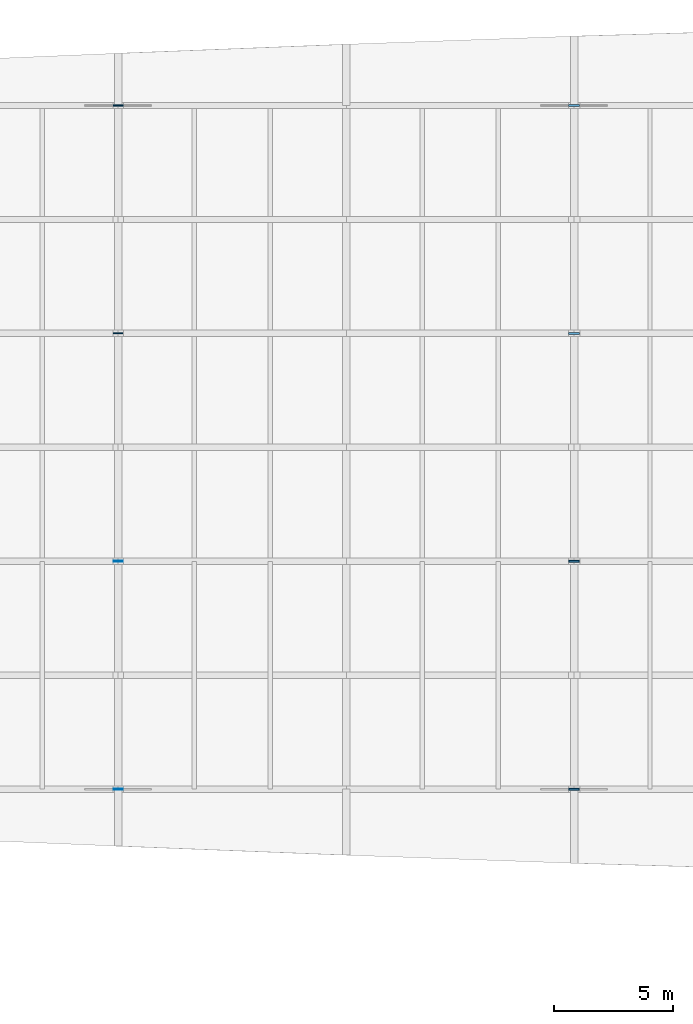
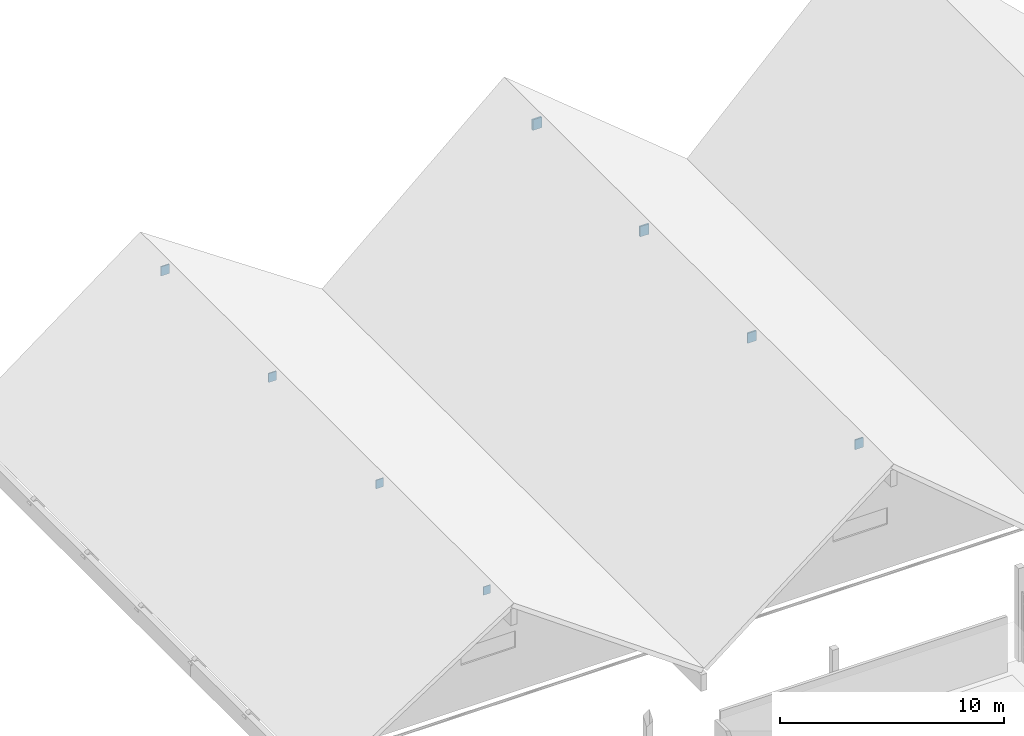
# One storey, part 24 of 42: 8 plates.
"""IFC4 building model written with IfcOpenShell, lengths in metres."""

from ifc_helpers import new_model, si_unit, direction, frame, origin, origin_2d, place, context, subcontext, project, spatial, rectangle, extrude, material, layer, layer_set, type_object, element, save


model = new_model("IFC4")

# Units and contexts
model_context = context("Model", 3, precision=1e-05, world=origin(), true_north=direction((0.0, 1.0)))
body_context = subcontext(model_context, "Body", "Model", "MODEL_VIEW")
ifc_project = project(units=[si_unit("LENGTHUNIT", "METRE"), si_unit("AREAUNIT", "SQUARE_METRE"), si_unit("VOLUMEUNIT", "CUBIC_METRE"), si_unit("PLANEANGLEUNIT", "RADIAN"), si_unit("MASSUNIT", "GRAM", prefix="KILO")], contexts=[model_context])

# Site, building, storey
site_placement = place(None, origin())
site = spatial("IfcSite", under=ifc_project, at=site_placement, CompositionType="ELEMENT")
building_placement = place(site_placement, origin())
building = spatial("IfcBuilding", under=site, at=building_placement, Name="Kolvemor Railside Polytechnic", CompositionType="ELEMENT")
storey_placement = place(building_placement, frame((0.0, 0.0, 14.39990234375)))
storey = spatial("IfcBuildingStorey", under=building, at=storey_placement, Name="L03", CompositionType="ELEMENT", Elevation=14.39990234375)

# Plates
ifc_material_1 = material(Name="Steel S355", Category="steel")
ifc_layer_1 = layer(ifc_material_1, 0.028076171875, Name="PLT-GUSSET-2")
ifc_layer_set_1 = layer_set([ifc_layer_1], Name="Steel S355")
plate_type_1 = type_object("IfcPlateType", Name="PLT-GUSSET-2", PredefinedType="USERDEFINED", material=ifc_layer_set_1)
plate_1_placement = place(storey_placement, frame((28.800048828125, 91.199951171875, 1.529296875), z_axis=(0.0, 0.0, 1.0), x_axis=(1.0, 0.0, 0.0)))
element("IfcPlate", 1, at=plate_1_placement, inside=storey, type_object=plate_type_1, Name="Ridge Gusset Plate GP-1-1", ObjectType="GUSSET PLATE", PredefinedType="USERDEFINED", context=body_context, shape_type="SweptSolid", body=[
    extrude(rectangle(XDim=0.3701171875, YDim=0.028076171875, at=origin_2d()), origin(), (0.0, 0.0, 1.0), 0.4560546875),
])
ifc_material_2 = material(Name="Steel S355", Category="steel")
ifc_layer_2 = layer(ifc_material_2, 0.0380859375, Name="PLT-GUSSET-3")
ifc_layer_set_2 = layer_set([ifc_layer_2], Name="Steel S355")
plate_type_2 = type_object("IfcPlateType", Name="PLT-GUSSET-3", PredefinedType="USERDEFINED", material=ifc_layer_set_2)
plate_2_placement = place(storey_placement, frame((28.800048828125, 100.800048828125, 1.520263671875), z_axis=(0.0, 0.0, 1.0), x_axis=(1.0, 0.0, 0.0)))
element("IfcPlate", 2, at=plate_2_placement, inside=storey, type_object=plate_type_2, Name="Ridge Gusset Plate GP-1-2", ObjectType="GUSSET PLATE", PredefinedType="USERDEFINED", context=body_context, shape_type="SweptSolid", body=[
    extrude(rectangle(XDim=0.385009765625, YDim=0.0380859375, at=origin_2d()), origin(), (0.0, 0.0, 1.0), 0.47412109375),
])
ifc_material_3 = material(Name="Steel S355", Category="steel")
ifc_layer_3 = layer(ifc_material_3, 0.048095703125, Name="PLT-GUSSET-4")
ifc_layer_set_3 = layer_set([ifc_layer_3], Name="Steel S355")
plate_type_3 = type_object("IfcPlateType", Name="PLT-GUSSET-4", PredefinedType="USERDEFINED", material=ifc_layer_set_3)
plate_3_placement = place(storey_placement, frame((28.800048828125, 110.39990234375, 1.51123046875), z_axis=(0.0, 0.0, 1.0), x_axis=(1.0, 0.0, 0.0)))
element("IfcPlate", 3, at=plate_3_placement, inside=storey, type_object=plate_type_3, Name="Ridge Gusset Plate GP-1-3", ObjectType="GUSSET PLATE", PredefinedType="USERDEFINED", context=body_context, shape_type="SweptSolid", body=[
    extrude(rectangle(XDim=0.39990234375, YDim=0.048095703125, at=origin_2d()), origin(), (0.0, 0.0, 1.0), 0.491943359375),
])
ifc_material_4 = material(Name="Steel S355", Category="steel")
ifc_layer_4 = layer(ifc_material_4, 0.05810546875, Name="PLT-GUSSET-5")
ifc_layer_set_4 = layer_set([ifc_layer_4], Name="Steel S355")
plate_type_4 = type_object("IfcPlateType", Name="PLT-GUSSET-5", PredefinedType="USERDEFINED", material=ifc_layer_set_4)
plate_4_placement = place(storey_placement, frame((28.800048828125, 120.0, 1.50244140625), z_axis=(0.0, 0.0, 1.0), x_axis=(1.0, 0.0, 0.0)))
element("IfcPlate", 4, at=plate_4_placement, inside=storey, type_object=plate_type_4, Name="Ridge Gusset Plate GP-1-4", ObjectType="GUSSET PLATE", PredefinedType="USERDEFINED", context=body_context, shape_type="SweptSolid", body=[
    extrude(rectangle(XDim=0.4150390625, YDim=0.05810546875, at=origin_2d()), origin(), (0.0, 0.0, 1.0), 0.510009765625),
])
ifc_material_5 = material(Name="Steel S355", Category="steel")
ifc_layer_5 = layer(ifc_material_5, 0.068115234375, Name="PLT-GUSSET-6")
ifc_layer_set_5 = layer_set([ifc_layer_5], Name="Steel S355")
plate_type_5 = type_object("IfcPlateType", Name="PLT-GUSSET-6", PredefinedType="USERDEFINED", material=ifc_layer_set_5)
plate_5_placement = place(storey_placement, frame((48.0, 91.199951171875, 2.7734375), z_axis=(0.0, 0.0, 1.0), x_axis=(1.0, 0.0, 0.0)))
element("IfcPlate", 5, at=plate_5_placement, inside=storey, type_object=plate_type_5, Name="Ridge Gusset Plate GP-2-1", ObjectType="GUSSET PLATE", PredefinedType="USERDEFINED", context=body_context, shape_type="SweptSolid", body=[
    extrude(rectangle(XDim=0.429931640625, YDim=0.068115234375, at=origin_2d()), origin(), (0.0, 0.0, 1.0), 0.528076171875),
])
ifc_material_6 = material(Name="Steel S355", Category="steel")
ifc_layer_6 = layer(ifc_material_6, 0.077880859375, Name="PLT-GUSSET-7")
ifc_layer_set_6 = layer_set([ifc_layer_6], Name="Steel S355")
plate_type_6 = type_object("IfcPlateType", Name="PLT-GUSSET-7", PredefinedType="USERDEFINED", material=ifc_layer_set_6)
plate_6_placement = place(storey_placement, frame((48.0, 100.800048828125, 2.7646484375), z_axis=(0.0, 0.0, 1.0), x_axis=(1.0, 0.0, 0.0)))
element("IfcPlate", 6, at=plate_6_placement, inside=storey, type_object=plate_type_6, Name="Ridge Gusset Plate GP-2-2", ObjectType="GUSSET PLATE", PredefinedType="USERDEFINED", context=body_context, shape_type="SweptSolid", body=[
    extrude(rectangle(XDim=0.445068359375, YDim=0.077880859375, at=origin_2d()), origin(), (0.0, 0.0, 1.0), 0.5458984375),
])
ifc_material_7 = material(Name="Steel S355", Category="steel")
ifc_layer_7 = layer(ifc_material_7, 0.087890625, Name="PLT-GUSSET-8")
ifc_layer_set_7 = layer_set([ifc_layer_7], Name="Steel S355")
plate_type_7 = type_object("IfcPlateType", Name="PLT-GUSSET-8", PredefinedType="USERDEFINED", material=ifc_layer_set_7)
plate_7_placement = place(storey_placement, frame((48.0, 110.39990234375, 2.755615234375), z_axis=(0.0, 0.0, 1.0), x_axis=(1.0, 0.0, 0.0)))
element("IfcPlate", 7, at=plate_7_placement, inside=storey, type_object=plate_type_7, Name="Ridge Gusset Plate GP-2-3", ObjectType="GUSSET PLATE", PredefinedType="USERDEFINED", context=body_context, shape_type="SweptSolid", body=[
    extrude(rectangle(XDim=0.4599609375, YDim=0.087890625, at=origin_2d()), origin(), (0.0, 0.0, 1.0), 0.56396484375),
])
ifc_material_8 = material(Name="Steel S355", Category="steel")
ifc_layer_8 = layer(ifc_material_8, 0.097900390625, Name="PLT-GUSSET-9")
ifc_layer_set_8 = layer_set([ifc_layer_8], Name="Steel S355")
plate_type_8 = type_object("IfcPlateType", Name="PLT-GUSSET-9", PredefinedType="USERDEFINED", material=ifc_layer_set_8)
plate_8_placement = place(storey_placement, frame((48.0, 120.0, 2.74658203125), z_axis=(0.0, 0.0, 1.0), x_axis=(1.0, 0.0, 0.0)))
element("IfcPlate", 8, at=plate_8_placement, inside=storey, type_object=plate_type_8, Name="Ridge Gusset Plate GP-2-4", ObjectType="GUSSET PLATE", PredefinedType="USERDEFINED", context=body_context, shape_type="SweptSolid", body=[
    extrude(rectangle(XDim=0.47509765625, YDim=0.097900390625, at=origin_2d()), origin(), (0.0, 0.0, 1.0), 0.58203125),
])

save(model, "model.ifc")
